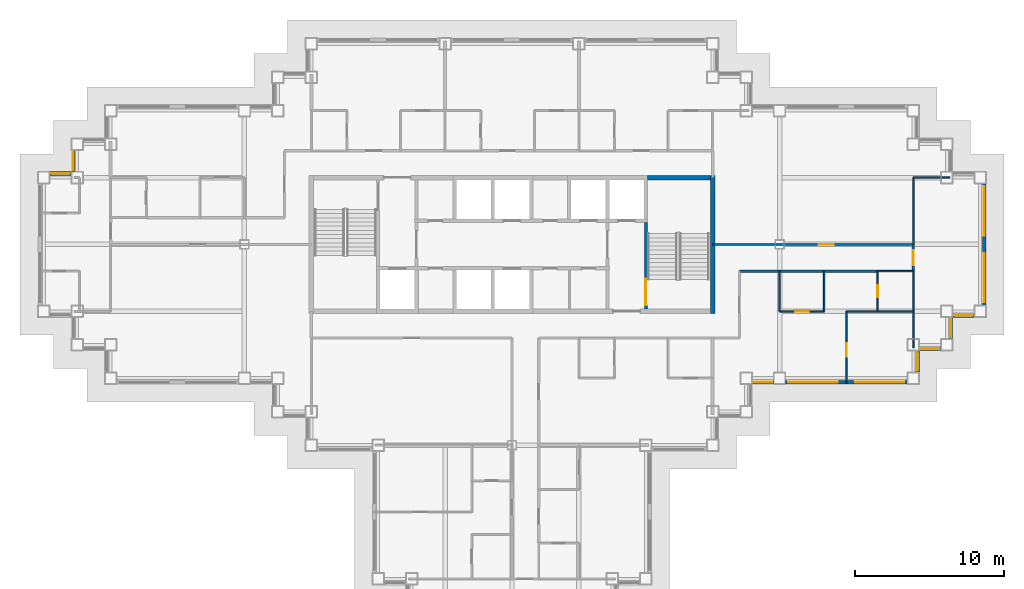
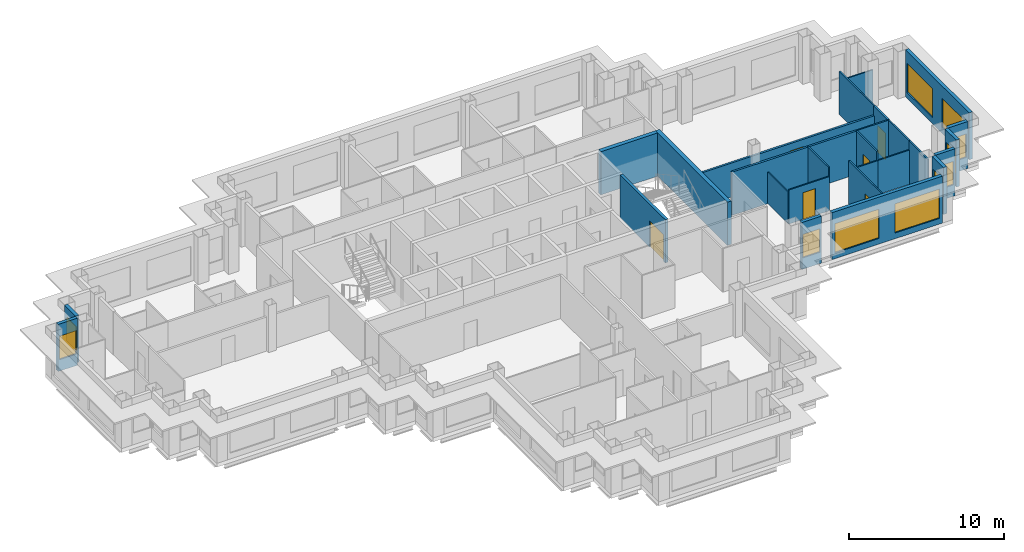
# One storey, part 7 of 13: 27 walls, 11 windows, 6 doors, 17 openings.
"""IFC4 building model written with IfcOpenShell, lengths in metres."""

from ifc_helpers import new_model, si_unit, direction, frame, frame_2d, origin, place, context, subcontext, project, spatial, rectangle, extrude, material, layer, layer_set, type_object, element, fill, save


model = new_model("IFC4")

# Units and contexts
model_context = context("Model", 3, precision=1e-05, world=origin(), true_north=direction((0.0, 1.0)))
body_context = subcontext(model_context, "Body", "Model", "MODEL_VIEW")
ifc_project = project(units=[si_unit("LENGTHUNIT", "METRE"), si_unit("AREAUNIT", "SQUARE_METRE"), si_unit("VOLUMEUNIT", "CUBIC_METRE"), si_unit("PLANEANGLEUNIT", "RADIAN"), si_unit("MASSUNIT", "GRAM", prefix="KILO")], contexts=[model_context])

# Site, building, storey
site_placement = place(None, origin())
site = spatial("IfcSite", under=ifc_project, at=site_placement, CompositionType="ELEMENT")
building_placement = place(site_placement, origin())
building = spatial("IfcBuilding", under=site, at=building_placement, Name="Caravel Reach Hotel and Residences", CompositionType="ELEMENT")
storey_placement = place(building_placement, frame((0.0, 0.0, 158.0)))
storey = spatial("IfcBuildingStorey", under=building, at=storey_placement, Name="L39", CompositionType="ELEMENT", Elevation=158.0)

# Walls
ifc_material_1 = material(Name="Gypsum board on steel stud", Category="steel")
ifc_layer_1 = layer(ifc_material_1, 0.10009765625)
ifc_layer_set_1 = layer_set([ifc_layer_1], Name="Bathroom pod wall 100 mm")
wall_type_1 = type_object("IfcWallType", Name="Bathroom pod wall 100 mm", PredefinedType="PARTITIONING", material=ifc_layer_set_1)
wall_1_placement = place(storey_placement, frame((56.10009765625, 22.5, 0.0), z_axis=(0.0, 0.0, 1.0), x_axis=(1.0, 0.0, 0.0)))
element("IfcWall", 1, at=wall_1_placement, inside=storey, type_object=wall_type_1, Name="L39 wall w084", PredefinedType="PARTITIONING", context=body_context, shape_type="SweptSolid", body=[
    extrude(rectangle(XDim=2.39990234375, YDim=0.10009765625, at=frame_2d((1.199951171875, 0.0))), origin(), (0.0, 0.0, 1.0), 2.679931640625),
])
wall_2_placement = place(storey_placement, frame((56.10009765625, 25.199951171875, 0.0), z_axis=(0.0, 0.0, 1.0), x_axis=(1.0, 0.0, 0.0)))
element("IfcWall", 2, at=wall_2_placement, inside=storey, type_object=wall_type_1, Name="L39 wall w085", PredefinedType="PARTITIONING", context=body_context, shape_type="SweptSolid", body=[
    extrude(rectangle(XDim=2.39990234375, YDim=0.10009765625, at=frame_2d((1.199951171875, 0.0))), origin(), (0.0, 0.0, 1.0), 3.39990234375),
])

# Wall, opening, door
wall_3_placement = place(storey_placement, frame((56.10009765625, 22.5, 0.0), z_axis=(0.0, 0.0, 1.0), x_axis=(0.0, 1.0, 0.0)))
wall_3 = element("IfcWall", 3, at=wall_3_placement, inside=storey, type_object=wall_type_1, Name="L39 wall w111", PredefinedType="PARTITIONING", context=body_context, shape_type="SweptSolid", body=[
    extrude(rectangle(XDim=2.699951171875, YDim=0.10009765625, at=frame_2d((1.35009765625, 0.0))), origin(), (0.0, 0.0, 1.0), 3.39990234375),
])
opening_1_placement = place(wall_3_placement, frame((0.949951171875, 0.0, 0.0)))
opening_1 = element("IfcOpeningElement", 4, at=opening_1_placement, cuts=wall_3, Name="Opening D39-033", PredefinedType="OPENING", context=body_context, shape_type="SweptSolid", body=[
    extrude(rectangle(XDim=0.800048828125, YDim=2.10009765625, at=frame_2d((0.39990234375, 1.050048828125))), frame((0.0, 0.06005859375, 0.0), z_axis=(0.0, -1.0, 0.0), x_axis=(1.0, 0.0, 0.0)), (0.0, 0.0, 1.0), 0.1201171875),
])
ifc_material_2 = material(Name="Timber and steel door leaf", Category="steel")
door_type_1 = type_object("IfcDoorType", Name="Bathroom door 800 x 2100", OperationType="SINGLE_SWING_LEFT", PredefinedType="DOOR", material=ifc_material_2)
door_1_placement = place(opening_1_placement, origin())
door_1 = element("IfcDoor", 5, at=door_1_placement, inside=storey, type_object=door_type_1, Name="door D39-033", OperationType="SINGLE_SWING_LEFT", OverallHeight=2.10009765625, OverallWidth=0.800048828125, PredefinedType="DOOR", context=body_context, shape_type="SweptSolid", body=[
    extrude(rectangle(XDim=0.800048828125, YDim=2.10009765625, at=frame_2d((0.39990234375, 1.050048828125))), frame((0.0, 0.02490234375, 0.0), z_axis=(0.0, -1.0, 0.0), x_axis=(1.0, 0.0, 0.0)), (0.0, 0.0, 1.0), 0.050048828125),
])
fill(opening_1, door_1)

# Walls
wall_4_placement = place(storey_placement, frame((58.5, 22.5, 0.0), z_axis=(0.0, 0.0, 1.0), x_axis=(0.0, 1.0, 0.0)))
element("IfcWall", 6, at=wall_4_placement, inside=storey, type_object=wall_type_1, Name="L39 wall w112", PredefinedType="PARTITIONING", context=body_context, shape_type="SweptSolid", body=[
    extrude(rectangle(XDim=2.699951171875, YDim=0.10009765625, at=frame_2d((1.35009765625, 0.0))), origin(), (0.0, 0.0, 1.0), 3.39990234375),
])
ifc_material_3 = material(Name="Concrete C60", Category="concrete")
ifc_layer_2 = layer(ifc_material_3, 0.300048828125)
ifc_layer_set_2 = layer_set([ifc_layer_2], Name="Core wall 300 mm EI 120")
wall_type_2 = type_object("IfcWallType", Name="Core wall 300 mm EI 120", PredefinedType="SHEAR", material=ifc_layer_set_2)
wall_5_placement = place(storey_placement, frame((40.625, 31.5, 0.0), z_axis=(0.0, 0.0, 1.0), x_axis=(1.0, 0.0, 0.0)))
element("IfcWall", 7, at=wall_5_placement, inside=storey, type_object=wall_type_2, Name="L39 core wall N3", PredefinedType="SHEAR", context=body_context, shape_type="SweptSolid", body=[
    extrude(rectangle(XDim=4.22509765625, YDim=0.300048828125, at=frame_2d((2.112548828125, 0.0))), origin(), (0.0, 0.0, 1.0), 3.39990234375),
])
wall_6_placement = place(storey_placement, frame((45.0, 22.35009765625, 0.0), z_axis=(0.0, 0.0, 1.0), x_axis=(0.0, 1.0, 0.0)))
element("IfcWall", 8, at=wall_6_placement, inside=storey, type_object=wall_type_2, Name="L39 core wall E", PredefinedType="SHEAR", context=body_context, shape_type="SweptSolid", body=[
    extrude(rectangle(XDim=9.2998046875, YDim=0.300048828125, at=frame_2d((4.64990234375, 0.0))), origin(), (0.0, 0.0, 1.0), 3.39990234375),
])
ifc_material_4 = material(Name="Gypsum board on steel stud, fire-rated", Category="steel")
ifc_layer_3 = layer(ifc_material_4, 0.14990234375)
ifc_layer_set_3 = layer_set([ifc_layer_3], Name="Corridor wall 150 mm EI 60")
wall_type_3 = type_object("IfcWallType", Name="Corridor wall 150 mm EI 60", PredefinedType="PARTITIONING", material=ifc_layer_set_3)
wall_7_placement = place(storey_placement, frame((46.801025390625, 25.199951171875, 0.0), z_axis=(0.0, 0.0, 1.0), x_axis=(1.0, 0.0, 0.0)))
element("IfcWall", 9, at=wall_7_placement, inside=storey, type_object=wall_type_3, Name="L39 wall w006", PredefinedType="PARTITIONING", context=body_context, shape_type="SweptSolid", body=[
    extrude(rectangle(XDim=9.299072265625, YDim=0.14990234375, at=frame_2d((4.6494140625, 0.0))), origin(), (0.0, 0.0, 1.0), 3.39990234375),
])

# Wall, opening, door
wall_8_placement = place(storey_placement, frame((45.0, 27.0, 0.0), z_axis=(0.0, 0.0, 1.0), x_axis=(1.0, 0.0, 0.0)))
wall_8 = element("IfcWall", 10, at=wall_8_placement, inside=storey, type_object=wall_type_3, Name="L39 wall w010", PredefinedType="PARTITIONING", context=body_context, shape_type="SweptSolid", body=[
    extrude(rectangle(XDim=13.5, YDim=0.14990234375, at=frame_2d((6.75, 0.0))), origin(), (0.0, 0.0, 1.0), 2.679931640625),
])
opening_2_placement = place(wall_8_placement, frame((7.14990234375, 0.0, 0.0)))
opening_2 = element("IfcOpeningElement", 11, at=opening_2_placement, cuts=wall_8, Name="Opening D39-030", PredefinedType="OPENING", context=body_context, shape_type="SweptSolid", body=[
    extrude(rectangle(XDim=1.0, YDim=2.10009765625, at=frame_2d((0.5, 1.050048828125))), frame((0.0, 0.0849609375, 0.0), z_axis=(0.0, -1.0, 0.0), x_axis=(1.0, 0.0, 0.0)), (0.0, 0.0, 1.0), 0.169921875),
])
ifc_material_5 = material(Name="Steel fire door leaf", Category="steel")
door_type_2 = type_object("IfcDoorType", Name="Fire door 1000 x 2100 EI 60", OperationType="SINGLE_SWING_LEFT", PredefinedType="DOOR", material=ifc_material_5)
door_2_placement = place(opening_2_placement, origin())
door_2 = element("IfcDoor", 12, at=door_2_placement, inside=storey, type_object=door_type_2, Name="door D39-030", OperationType="SINGLE_SWING_RIGHT", OverallHeight=2.10009765625, OverallWidth=1.0, PredefinedType="DOOR", context=body_context, shape_type="SweptSolid", body=[
    extrude(rectangle(XDim=1.0, YDim=2.10009765625, at=frame_2d((0.5, 1.050048828125))), frame((0.0, 0.02490234375, 0.0), z_axis=(0.0, -1.0, 0.0), x_axis=(1.0, 0.0, 0.0)), (0.0, 0.0, 1.0), 0.050048828125),
])
fill(opening_2, door_2)

wall_9_placement = place(storey_placement, frame((58.5, 25.199951171875, 0.0), z_axis=(0.0, 0.0, 1.0), x_axis=(0.0, 1.0, 0.0)))
wall_9 = element("IfcWall", 13, at=wall_9_placement, inside=storey, type_object=wall_type_3, Name="L39 wall w033", PredefinedType="PARTITIONING", context=body_context, shape_type="SweptSolid", body=[
    extrude(rectangle(XDim=1.800048828125, YDim=0.14990234375, at=frame_2d((0.89990234375, 0.0))), origin(), (0.0, 0.0, 1.0), 3.39990234375),
])
opening_3_placement = place(wall_9_placement, frame((0.39990234375, 0.0, 0.0)))
opening_3 = element("IfcOpeningElement", 14, at=opening_3_placement, cuts=wall_9, Name="Opening D39-049", PredefinedType="OPENING", context=body_context, shape_type="SweptSolid", body=[
    extrude(rectangle(XDim=1.0, YDim=2.10009765625, at=frame_2d((0.5, 1.050048828125))), frame((0.0, 0.0849609375, 0.0), z_axis=(0.0, -1.0, 0.0), x_axis=(1.0, 0.0, 0.0)), (0.0, 0.0, 1.0), 0.169921875),
])
door_3_placement = place(opening_3_placement, origin())
door_3 = element("IfcDoor", 15, at=door_3_placement, inside=storey, type_object=door_type_2, Name="door D39-049", OperationType="SINGLE_SWING_LEFT", OverallHeight=2.10009765625, OverallWidth=1.0, PredefinedType="DOOR", context=body_context, shape_type="SweptSolid", body=[
    extrude(rectangle(XDim=1.0, YDim=2.10009765625, at=frame_2d((0.5, 1.050048828125))), frame((0.0, 0.02490234375, 0.0), z_axis=(0.0, -1.0, 0.0), x_axis=(1.0, 0.0, 0.0)), (0.0, 0.0, 1.0), 0.050048828125),
])
fill(opening_3, door_3)

# Wall, opening, window
ifc_material_6 = material(Name="Insulated rainscreen wall, aluminium cladding", Category="aluminium")
ifc_layer_4 = layer(ifc_material_6, 0.25)
ifc_layer_set_4 = layer_set([ifc_layer_4], Name="EW1 Tower rainscreen wall")
wall_type_4 = type_object("IfcWallType", Name="EW1 Tower rainscreen wall", PredefinedType="SOLIDWALL", material=ifc_layer_set_4)
wall_10_placement = place(storey_placement, frame((47.64990234375, 17.72509765625, 0.0), z_axis=(0.0, 0.0, 1.0), x_axis=(1.0, 0.0, 0.0)))
wall_10 = element("IfcWall", 16, at=wall_10_placement, inside=storey, type_object=wall_type_4, Name="External wall L39 S15.1", PredefinedType="SOLIDWALL", context=body_context, shape_type="SweptSolid", body=[
    extrude(rectangle(XDim=1.4501953125, YDim=0.25, at=frame_2d((0.72509765625, 0.0))), origin(), (0.0, 0.0, 1.0), 3.699951171875),
])
opening_4_placement = place(wall_10_placement, frame((0.10009765625, 0.0, 0.89990234375)))
opening_4 = element("IfcOpeningElement", 17, at=opening_4_placement, cuts=wall_10, Name="Opening WN13", PredefinedType="OPENING", context=body_context, shape_type="SweptSolid", body=[
    extrude(rectangle(XDim=1.25, YDim=1.85009765625, at=frame_2d((0.625, 0.925048828125))), frame((0.0, 0.135009765625, 0.0), z_axis=(0.0, -1.0, 0.0), x_axis=(1.0, 0.0, 0.0)), (0.0, 0.0, 1.0), 0.27001953125),
])
ifc_material_7 = material(Name="Dark low-e glazing in black aluminium frame", Category="aluminium")
window_type_1 = type_object("IfcWindowType", Name="Residence bedroom window 1250 x 1850", PartitioningType="SINGLE_PANEL", PredefinedType="WINDOW", material=ifc_material_7)
window_1_placement = place(opening_4_placement, origin())
window_1 = element("IfcWindow", 18, at=window_1_placement, inside=storey, type_object=window_type_1, Name="Window L39 S15.1.1", OverallHeight=1.85009765625, OverallWidth=1.25, PartitioningType="SINGLE_PANEL", PredefinedType="WINDOW", context=body_context, shape_type="SweptSolid", body=[
    extrude(rectangle(XDim=1.25, YDim=1.85009765625, at=frame_2d((0.625, 0.925048828125))), frame((0.0, 0.030029296875, 0.0), z_axis=(0.0, -1.0, 0.0), x_axis=(1.0, 0.0, 0.0)), (0.0, 0.0, 1.0), 0.06005859375),
])
fill(opening_4, window_1)

# Wall, openings, windows
wall_11_placement = place(storey_placement, frame((49.89990234375, 17.72509765625, 0.0), z_axis=(0.0, 0.0, 1.0), x_axis=(1.0, 0.0, 0.0)))
wall_11 = element("IfcWall", 19, at=wall_11_placement, inside=storey, type_object=wall_type_4, Name="External wall L39 S15.2", PredefinedType="SOLIDWALL", context=body_context, shape_type="SweptSolid", body=[
    extrude(rectangle(XDim=8.2001953125, YDim=0.25, at=frame_2d((4.10009765625, 0.0))), origin(), (0.0, 0.0, 1.0), 3.699951171875),
])
opening_5_placement = place(wall_11_placement, frame((0.199951171875, 0.0, 0.449951171875)))
opening_5 = element("IfcOpeningElement", 20, at=opening_5_placement, cuts=wall_11, Name="Opening WN15", PredefinedType="OPENING", context=body_context, shape_type="SweptSolid", body=[
    extrude(rectangle(XDim=3.300048828125, YDim=2.300048828125, at=frame_2d((1.64990234375, 1.14990234375))), frame((0.0, 0.135009765625, 0.0), z_axis=(0.0, -1.0, 0.0), x_axis=(1.0, 0.0, 0.0)), (0.0, 0.0, 1.0), 0.27001953125),
])
opening_6_placement = place(wall_11_placement, frame((4.699951171875, 0.0, 0.449951171875)))
opening_6 = element("IfcOpeningElement", 21, at=opening_6_placement, cuts=wall_11, Name="Opening WN15", PredefinedType="OPENING", context=body_context, shape_type="SweptSolid", body=[
    extrude(rectangle(XDim=3.300048828125, YDim=2.300048828125, at=frame_2d((1.64990234375, 1.14990234375))), frame((0.0, 0.135009765625, 0.0), z_axis=(0.0, -1.0, 0.0), x_axis=(1.0, 0.0, 0.0)), (0.0, 0.0, 1.0), 0.27001953125),
])
ifc_material_8 = material(Name="Dark low-e glazing in black aluminium frame", Category="aluminium")
window_type_2 = type_object("IfcWindowType", Name="Residence living window 3300 x 2300", PartitioningType="SINGLE_PANEL", PredefinedType="WINDOW", material=ifc_material_8)
window_2_placement = place(opening_5_placement, origin())
window_2 = element("IfcWindow", 22, at=window_2_placement, inside=storey, type_object=window_type_2, Name="Window L39 S15.2.1", OverallHeight=2.300048828125, OverallWidth=3.300048828125, PartitioningType="SINGLE_PANEL", PredefinedType="WINDOW", context=body_context, shape_type="SweptSolid", body=[
    extrude(rectangle(XDim=3.300048828125, YDim=2.300048828125, at=frame_2d((1.64990234375, 1.14990234375))), frame((0.0, 0.030029296875, 0.0), z_axis=(0.0, -1.0, 0.0), x_axis=(1.0, 0.0, 0.0)), (0.0, 0.0, 1.0), 0.06005859375),
])
fill(opening_5, window_2)
window_3_placement = place(opening_6_placement, origin())
window_3 = element("IfcWindow", 23, at=window_3_placement, inside=storey, type_object=window_type_2, Name="Window L39 S15.2.2", OverallHeight=2.300048828125, OverallWidth=3.300048828125, PartitioningType="SINGLE_PANEL", PredefinedType="WINDOW", context=body_context, shape_type="SweptSolid", body=[
    extrude(rectangle(XDim=3.300048828125, YDim=2.300048828125, at=frame_2d((1.64990234375, 1.14990234375))), frame((0.0, 0.030029296875, 0.0), z_axis=(0.0, -1.0, 0.0), x_axis=(1.0, 0.0, 0.0)), (0.0, 0.0, 1.0), 0.06005859375),
])
fill(opening_6, window_3)

# Wall, opening, window
wall_12_placement = place(storey_placement, frame((58.77490234375, 18.39990234375, 0.0), z_axis=(0.0, 0.0, 1.0), x_axis=(0.0, 1.0, 0.0)))
wall_12 = element("IfcWall", 24, at=wall_12_placement, inside=storey, type_object=wall_type_4, Name="External wall L39 E16.1", PredefinedType="SOLIDWALL", context=body_context, shape_type="SweptSolid", body=[
    extrude(rectangle(XDim=1.4501953125, YDim=0.25, at=frame_2d((0.72509765625, 0.0))), origin(), (0.0, 0.0, 1.0), 3.699951171875),
])
opening_7_placement = place(wall_12_placement, frame((0.10009765625, 0.0, 0.89990234375)))
opening_7 = element("IfcOpeningElement", 25, at=opening_7_placement, cuts=wall_12, Name="Opening WN13", PredefinedType="OPENING", context=body_context, shape_type="SweptSolid", body=[
    extrude(rectangle(XDim=1.25, YDim=1.85009765625, at=frame_2d((0.625, 0.925048828125))), frame((0.0, 0.135009765625, 0.0), z_axis=(0.0, -1.0, 0.0), x_axis=(1.0, 0.0, 0.0)), (0.0, 0.0, 1.0), 0.27001953125),
])
window_4_placement = place(opening_7_placement, origin())
window_4 = element("IfcWindow", 26, at=window_4_placement, inside=storey, type_object=window_type_1, Name="Window L39 E16.1.1", OverallHeight=1.85009765625, OverallWidth=1.25, PartitioningType="SINGLE_PANEL", PredefinedType="WINDOW", context=body_context, shape_type="SweptSolid", body=[
    extrude(rectangle(XDim=1.25, YDim=1.85009765625, at=frame_2d((0.625, 0.925048828125))), frame((0.0, 0.030029296875, 0.0), z_axis=(0.0, -1.0, 0.0), x_axis=(1.0, 0.0, 0.0)), (0.0, 0.0, 1.0), 0.06005859375),
])
fill(opening_7, window_4)

wall_13_placement = place(storey_placement, frame((58.89990234375, 19.97509765625, 0.0), z_axis=(0.0, 0.0, 1.0), x_axis=(1.0, 0.0, 0.0)))
wall_13 = element("IfcWall", 27, at=wall_13_placement, inside=storey, type_object=wall_type_4, Name="External wall L39 S17.1", PredefinedType="SOLIDWALL", context=body_context, shape_type="SweptSolid", body=[
    extrude(rectangle(XDim=1.4501953125, YDim=0.25, at=frame_2d((0.72509765625, 0.0))), origin(), (0.0, 0.0, 1.0), 3.699951171875),
])
opening_8_placement = place(wall_13_placement, frame((0.10009765625, 0.0, 0.89990234375)))
opening_8 = element("IfcOpeningElement", 28, at=opening_8_placement, cuts=wall_13, Name="Opening WN13", PredefinedType="OPENING", context=body_context, shape_type="SweptSolid", body=[
    extrude(rectangle(XDim=1.25, YDim=1.85009765625, at=frame_2d((0.625, 0.925048828125))), frame((0.0, 0.135009765625, 0.0), z_axis=(0.0, -1.0, 0.0), x_axis=(1.0, 0.0, 0.0)), (0.0, 0.0, 1.0), 0.27001953125),
])
window_5_placement = place(opening_8_placement, origin())
window_5 = element("IfcWindow", 29, at=window_5_placement, inside=storey, type_object=window_type_1, Name="Window L39 S17.1.1", OverallHeight=1.85009765625, OverallWidth=1.25, PartitioningType="SINGLE_PANEL", PredefinedType="WINDOW", context=body_context, shape_type="SweptSolid", body=[
    extrude(rectangle(XDim=1.25, YDim=1.85009765625, at=frame_2d((0.625, 0.925048828125))), frame((0.0, 0.030029296875, 0.0), z_axis=(0.0, -1.0, 0.0), x_axis=(1.0, 0.0, 0.0)), (0.0, 0.0, 1.0), 0.06005859375),
])
fill(opening_8, window_5)

wall_14_placement = place(storey_placement, frame((61.02490234375, 20.64990234375, 0.0), z_axis=(0.0, 0.0, 1.0), x_axis=(0.0, 1.0, 0.0)))
wall_14 = element("IfcWall", 30, at=wall_14_placement, inside=storey, type_object=wall_type_4, Name="External wall L39 E18.1", PredefinedType="SOLIDWALL", context=body_context, shape_type="SweptSolid", body=[
    extrude(rectangle(XDim=1.4501953125, YDim=0.25, at=frame_2d((0.72509765625, 0.0))), origin(), (0.0, 0.0, 1.0), 3.699951171875),
])
opening_9_placement = place(wall_14_placement, frame((0.10009765625, 0.0, 0.89990234375)))
opening_9 = element("IfcOpeningElement", 31, at=opening_9_placement, cuts=wall_14, Name="Opening WN13", PredefinedType="OPENING", context=body_context, shape_type="SweptSolid", body=[
    extrude(rectangle(XDim=1.25, YDim=1.85009765625, at=frame_2d((0.625, 0.925048828125))), frame((0.0, 0.135009765625, 0.0), z_axis=(0.0, -1.0, 0.0), x_axis=(1.0, 0.0, 0.0)), (0.0, 0.0, 1.0), 0.27001953125),
])
window_6_placement = place(opening_9_placement, origin())
window_6 = element("IfcWindow", 32, at=window_6_placement, inside=storey, type_object=window_type_1, Name="Window L39 E18.1.1", OverallHeight=1.85009765625, OverallWidth=1.25, PartitioningType="SINGLE_PANEL", PredefinedType="WINDOW", context=body_context, shape_type="SweptSolid", body=[
    extrude(rectangle(XDim=1.25, YDim=1.85009765625, at=frame_2d((0.625, 0.925048828125))), frame((0.0, 0.030029296875, 0.0), z_axis=(0.0, -1.0, 0.0), x_axis=(1.0, 0.0, 0.0)), (0.0, 0.0, 1.0), 0.06005859375),
])
fill(opening_9, window_6)

wall_15_placement = place(storey_placement, frame((61.14990234375, 22.22509765625, 0.0), z_axis=(0.0, 0.0, 1.0), x_axis=(1.0, 0.0, 0.0)))
wall_15 = element("IfcWall", 33, at=wall_15_placement, inside=storey, type_object=wall_type_4, Name="External wall L39 S19.1", PredefinedType="SOLIDWALL", context=body_context, shape_type="SweptSolid", body=[
    extrude(rectangle(XDim=1.4501953125, YDim=0.25, at=frame_2d((0.72509765625, 0.0))), origin(), (0.0, 0.0, 1.0), 3.699951171875),
])
opening_10_placement = place(wall_15_placement, frame((0.10009765625, 0.0, 0.89990234375)))
opening_10 = element("IfcOpeningElement", 34, at=opening_10_placement, cuts=wall_15, Name="Opening WN13", PredefinedType="OPENING", context=body_context, shape_type="SweptSolid", body=[
    extrude(rectangle(XDim=1.25, YDim=1.85009765625, at=frame_2d((0.625, 0.925048828125))), frame((0.0, 0.135009765625, 0.0), z_axis=(0.0, -1.0, 0.0), x_axis=(1.0, 0.0, 0.0)), (0.0, 0.0, 1.0), 0.27001953125),
])
window_7_placement = place(opening_10_placement, origin())
window_7 = element("IfcWindow", 35, at=window_7_placement, inside=storey, type_object=window_type_1, Name="Window L39 S19.1.1", OverallHeight=1.85009765625, OverallWidth=1.25, PartitioningType="SINGLE_PANEL", PredefinedType="WINDOW", context=body_context, shape_type="SweptSolid", body=[
    extrude(rectangle(XDim=1.25, YDim=1.85009765625, at=frame_2d((0.625, 0.925048828125))), frame((0.0, 0.030029296875, 0.0), z_axis=(0.0, -1.0, 0.0), x_axis=(1.0, 0.0, 0.0)), (0.0, 0.0, 1.0), 0.06005859375),
])
fill(opening_10, window_7)

# Wall, openings, windows
wall_16_placement = place(storey_placement, frame((63.27490234375, 22.89990234375, 0.0), z_axis=(0.0, 0.0, 1.0), x_axis=(0.0, 1.0, 0.0)))
wall_16 = element("IfcWall", 36, at=wall_16_placement, inside=storey, type_object=wall_type_4, Name="External wall L39 E20.1", PredefinedType="SOLIDWALL", context=body_context, shape_type="SweptSolid", body=[
    extrude(rectangle(XDim=8.2001953125, YDim=0.25, at=frame_2d((4.10009765625, 0.0))), origin(), (0.0, 0.0, 1.0), 3.699951171875),
])
opening_11_placement = place(wall_16_placement, frame((0.199951171875, 0.0, 0.449951171875)))
opening_11 = element("IfcOpeningElement", 37, at=opening_11_placement, cuts=wall_16, Name="Opening WN15", PredefinedType="OPENING", context=body_context, shape_type="SweptSolid", body=[
    extrude(rectangle(XDim=3.300048828125, YDim=2.300048828125, at=frame_2d((1.64990234375, 1.14990234375))), frame((0.0, 0.135009765625, 0.0), z_axis=(0.0, -1.0, 0.0), x_axis=(1.0, 0.0, 0.0)), (0.0, 0.0, 1.0), 0.27001953125),
])
opening_12_placement = place(wall_16_placement, frame((4.699951171875, 0.0, 0.449951171875)))
opening_12 = element("IfcOpeningElement", 38, at=opening_12_placement, cuts=wall_16, Name="Opening WN15", PredefinedType="OPENING", context=body_context, shape_type="SweptSolid", body=[
    extrude(rectangle(XDim=3.300048828125, YDim=2.300048828125, at=frame_2d((1.64990234375, 1.14990234375))), frame((0.0, 0.135009765625, 0.0), z_axis=(0.0, -1.0, 0.0), x_axis=(1.0, 0.0, 0.0)), (0.0, 0.0, 1.0), 0.27001953125),
])
window_8_placement = place(opening_11_placement, origin())
window_8 = element("IfcWindow", 39, at=window_8_placement, inside=storey, type_object=window_type_2, Name="Window L39 E20.1.1", OverallHeight=2.300048828125, OverallWidth=3.300048828125, PartitioningType="SINGLE_PANEL", PredefinedType="WINDOW", context=body_context, shape_type="SweptSolid", body=[
    extrude(rectangle(XDim=3.300048828125, YDim=2.300048828125, at=frame_2d((1.64990234375, 1.14990234375))), frame((0.0, 0.030029296875, 0.0), z_axis=(0.0, -1.0, 0.0), x_axis=(1.0, 0.0, 0.0)), (0.0, 0.0, 1.0), 0.06005859375),
])
fill(opening_11, window_8)
window_9_placement = place(opening_12_placement, origin())
window_9 = element("IfcWindow", 40, at=window_9_placement, inside=storey, type_object=window_type_2, Name="Window L39 E20.1.2", OverallHeight=2.300048828125, OverallWidth=3.300048828125, PartitioningType="SINGLE_PANEL", PredefinedType="WINDOW", context=body_context, shape_type="SweptSolid", body=[
    extrude(rectangle(XDim=3.300048828125, YDim=2.300048828125, at=frame_2d((1.64990234375, 1.14990234375))), frame((0.0, 0.030029296875, 0.0), z_axis=(0.0, -1.0, 0.0), x_axis=(1.0, 0.0, 0.0)), (0.0, 0.0, 1.0), 0.06005859375),
])
fill(opening_12, window_9)

# Wall, opening, window
wall_17_placement = place(storey_placement, frame((1.97509765625, 33.35009765625, 0.0), z_axis=(0.0, 0.0, 1.0), x_axis=(0.0, -1.0, 0.0)))
wall_17 = element("IfcWall", 41, at=wall_17_placement, inside=storey, type_object=wall_type_4, Name="External wall L39 W36.1", PredefinedType="SOLIDWALL", context=body_context, shape_type="SweptSolid", body=[
    extrude(rectangle(XDim=1.4501953125, YDim=0.25, at=frame_2d((0.72509765625, 0.0))), origin(), (0.0, 0.0, 1.0), 3.699951171875),
])
opening_13_placement = place(wall_17_placement, frame((0.10009765625, 0.0, 0.89990234375)))
opening_13 = element("IfcOpeningElement", 42, at=opening_13_placement, cuts=wall_17, Name="Opening WN13", PredefinedType="OPENING", context=body_context, shape_type="SweptSolid", body=[
    extrude(rectangle(XDim=1.25, YDim=1.85009765625, at=frame_2d((0.625, 0.925048828125))), frame((0.0, 0.135009765625, 0.0), z_axis=(0.0, -1.0, 0.0), x_axis=(1.0, 0.0, 0.0)), (0.0, 0.0, 1.0), 0.27001953125),
])
window_10_placement = place(opening_13_placement, origin())
window_10 = element("IfcWindow", 43, at=window_10_placement, inside=storey, type_object=window_type_1, Name="Window L39 W36.1.1", OverallHeight=1.85009765625, OverallWidth=1.25, PartitioningType="SINGLE_PANEL", PredefinedType="WINDOW", context=body_context, shape_type="SweptSolid", body=[
    extrude(rectangle(XDim=1.25, YDim=1.85009765625, at=frame_2d((0.625, 0.925048828125))), frame((0.0, 0.030029296875, 0.0), z_axis=(0.0, -1.0, 0.0), x_axis=(1.0, 0.0, 0.0)), (0.0, 0.0, 1.0), 0.06005859375),
])
fill(opening_13, window_10)

wall_18_placement = place(storey_placement, frame((1.85009765625, 31.77490234375, 0.0), z_axis=(0.0, 0.0, 1.0), x_axis=(-1.0, 0.0, 0.0)))
wall_18 = element("IfcWall", 44, at=wall_18_placement, inside=storey, type_object=wall_type_4, Name="External wall L39 N37.1", PredefinedType="SOLIDWALL", context=body_context, shape_type="SweptSolid", body=[
    extrude(rectangle(XDim=1.4501953125, YDim=0.25, at=frame_2d((0.72509765625, 0.0))), origin(), (0.0, 0.0, 1.0), 3.699951171875),
])
opening_14_placement = place(wall_18_placement, frame((0.10009765625, 0.0, 0.89990234375)))
opening_14 = element("IfcOpeningElement", 45, at=opening_14_placement, cuts=wall_18, Name="Opening WN13", PredefinedType="OPENING", context=body_context, shape_type="SweptSolid", body=[
    extrude(rectangle(XDim=1.25, YDim=1.85009765625, at=frame_2d((0.625, 0.925048828125))), frame((0.0, 0.135009765625, 0.0), z_axis=(0.0, -1.0, 0.0), x_axis=(1.0, 0.0, 0.0)), (0.0, 0.0, 1.0), 0.27001953125),
])
window_11_placement = place(opening_14_placement, origin())
window_11 = element("IfcWindow", 46, at=window_11_placement, inside=storey, type_object=window_type_1, Name="Window L39 N37.1.1", OverallHeight=1.85009765625, OverallWidth=1.25, PartitioningType="SINGLE_PANEL", PredefinedType="WINDOW", context=body_context, shape_type="SweptSolid", body=[
    extrude(rectangle(XDim=1.25, YDim=1.85009765625, at=frame_2d((0.625, 0.925048828125))), frame((0.0, 0.030029296875, 0.0), z_axis=(0.0, -1.0, 0.0), x_axis=(1.0, 0.0, 0.0)), (0.0, 0.0, 1.0), 0.06005859375),
])
fill(opening_14, window_11)

# Wall
ifc_material_9 = material(Name="Gypsum board on steel stud", Category="steel")
ifc_layer_5 = layer(ifc_material_9, 0.10009765625)
ifc_layer_set_5 = layer_set([ifc_layer_5], Name="Partition 100 mm")
wall_type_5 = type_object("IfcWallType", Name="Partition 100 mm", PredefinedType="PARTITIONING", material=ifc_layer_set_5)
wall_19_placement = place(storey_placement, frame((54.0, 22.5, 0.0), z_axis=(0.0, 0.0, 1.0), x_axis=(1.0, 0.0, 0.0)))
element("IfcWall", 47, at=wall_19_placement, inside=storey, type_object=wall_type_5, Name="L39 wall w037", PredefinedType="PARTITIONING", context=body_context, shape_type="SweptSolid", body=[
    extrude(rectangle(XDim=2.10009765625, YDim=0.10009765625, at=frame_2d((1.050048828125, 0.0))), origin(), (0.0, 0.0, 1.0), 2.679931640625),
])

# Wall, opening, door
wall_20_placement = place(storey_placement, frame((49.5, 22.5, 0.0), z_axis=(0.0, 0.0, 1.0), x_axis=(1.0, 0.0, 0.0)))
wall_20 = element("IfcWall", 48, at=wall_20_placement, inside=storey, type_object=wall_type_5, Name="L39 wall w038", PredefinedType="PARTITIONING", context=body_context, shape_type="SweptSolid", body=[
    extrude(rectangle(XDim=3.0, YDim=0.10009765625, at=frame_2d((1.5, 0.0))), origin(), (0.0, 0.0, 1.0), 2.679931640625),
])
opening_15_placement = place(wall_20_placement, frame((1.050048828125, 0.0, 0.0)))
opening_15 = element("IfcOpeningElement", 49, at=opening_15_placement, cuts=wall_20, Name="Opening D39-032", PredefinedType="OPENING", context=body_context, shape_type="SweptSolid", body=[
    extrude(rectangle(XDim=0.89990234375, YDim=2.10009765625, at=frame_2d((0.449951171875, 1.050048828125))), frame((0.0, 0.06005859375, 0.0), z_axis=(0.0, -1.0, 0.0), x_axis=(1.0, 0.0, 0.0)), (0.0, 0.0, 1.0), 0.1201171875),
])
ifc_material_10 = material(Name="Timber and steel door leaf", Category="steel")
door_type_3 = type_object("IfcDoorType", Name="Door 900 x 2100 timber", OperationType="SINGLE_SWING_LEFT", PredefinedType="DOOR", material=ifc_material_10)
door_4_placement = place(opening_15_placement, origin())
door_4 = element("IfcDoor", 50, at=door_4_placement, inside=storey, type_object=door_type_3, Name="door D39-032", OperationType="SINGLE_SWING_RIGHT", OverallHeight=2.10009765625, OverallWidth=0.89990234375, PredefinedType="DOOR", context=body_context, shape_type="SweptSolid", body=[
    extrude(rectangle(XDim=0.89990234375, YDim=2.10009765625, at=frame_2d((0.449951171875, 1.050048828125))), frame((0.0, 0.02490234375, 0.0), z_axis=(0.0, -1.0, 0.0), x_axis=(1.0, 0.0, 0.0)), (0.0, 0.0, 1.0), 0.050048828125),
])
fill(opening_15, door_4)

# Walls
wall_21_placement = place(storey_placement, frame((58.5009765625, 31.5, 0.0), z_axis=(0.0, 0.0, 1.0), x_axis=(1.0, 0.0, 0.0)))
element("IfcWall", 51, at=wall_21_placement, inside=storey, type_object=wall_type_5, Name="L39 wall w041", PredefinedType="PARTITIONING", context=body_context, shape_type="SweptSolid", body=[
    extrude(rectangle(XDim=2.43896484375, YDim=0.10009765625, at=frame_2d((1.219482421875, 0.0))), origin(), (0.0, 0.0, 1.0), 2.679931640625),
])
wall_22_placement = place(storey_placement, frame((49.5, 22.5, 0.0), z_axis=(0.0, 0.0, 1.0), x_axis=(0.0, 1.0, 0.0)))
element("IfcWall", 52, at=wall_22_placement, inside=storey, type_object=wall_type_5, Name="L39 wall w067", PredefinedType="PARTITIONING", context=body_context, shape_type="SweptSolid", body=[
    extrude(rectangle(XDim=2.698974609375, YDim=0.10009765625, at=frame_2d((1.349609375, 0.0))), origin(), (0.0, 0.0, 1.0), 2.47998046875),
])
wall_23_placement = place(storey_placement, frame((52.5, 22.5, 0.0), z_axis=(0.0, 0.0, 1.0), x_axis=(0.0, 1.0, 0.0)))
element("IfcWall", 53, at=wall_23_placement, inside=storey, type_object=wall_type_5, Name="L39 wall w068", PredefinedType="PARTITIONING", context=body_context, shape_type="SweptSolid", body=[
    extrude(rectangle(XDim=2.699951171875, YDim=0.10009765625, at=frame_2d((1.35009765625, 0.0))), origin(), (0.0, 0.0, 1.0), 3.39990234375),
])

# Wall, opening, door
wall_24_placement = place(storey_placement, frame((54.0, 17.659912109375, 0.0), z_axis=(0.0, 0.0, 1.0), x_axis=(0.0, 1.0, 0.0)))
wall_24 = element("IfcWall", 54, at=wall_24_placement, inside=storey, type_object=wall_type_5, Name="L39 wall w069", PredefinedType="PARTITIONING", context=body_context, shape_type="SweptSolid", body=[
    extrude(rectangle(XDim=4.840087890625, YDim=0.10009765625, at=frame_2d((2.419921875, 0.0))), origin(), (0.0, 0.0, 1.0), 3.39990234375),
])
opening_16_placement = place(wall_24_placement, frame((1.800048828125, 0.0, 0.0)))
opening_16 = element("IfcOpeningElement", 55, at=opening_16_placement, cuts=wall_24, Name="Opening D39-034", PredefinedType="OPENING", context=body_context, shape_type="SweptSolid", body=[
    extrude(rectangle(XDim=0.89990234375, YDim=2.10009765625, at=frame_2d((0.449951171875, 1.050048828125))), frame((0.0, 0.06005859375, 0.0), z_axis=(0.0, -1.0, 0.0), x_axis=(1.0, 0.0, 0.0)), (0.0, 0.0, 1.0), 0.1201171875),
])
door_5_placement = place(opening_16_placement, origin())
door_5 = element("IfcDoor", 56, at=door_5_placement, inside=storey, type_object=door_type_3, Name="door D39-034", OperationType="SINGLE_SWING_RIGHT", OverallHeight=2.10009765625, OverallWidth=0.89990234375, PredefinedType="DOOR", context=body_context, shape_type="SweptSolid", body=[
    extrude(rectangle(XDim=0.89990234375, YDim=2.10009765625, at=frame_2d((0.449951171875, 1.050048828125))), frame((0.0, 0.02490234375, 0.0), z_axis=(0.0, -1.0, 0.0), x_axis=(1.0, 0.0, 0.0)), (0.0, 0.0, 1.0), 0.050048828125),
])
fill(opening_16, door_5)

# Walls
wall_25_placement = place(storey_placement, frame((58.5, 27.0, 0.0), z_axis=(0.0, 0.0, 1.0), x_axis=(0.0, 1.0, 0.0)))
element("IfcWall", 57, at=wall_25_placement, inside=storey, type_object=wall_type_5, Name="L39 wall w070", PredefinedType="PARTITIONING", context=body_context, shape_type="SweptSolid", body=[
    extrude(rectangle(XDim=4.5, YDim=0.10009765625, at=frame_2d((2.25, 0.0))), origin(), (0.0, 0.0, 1.0), 3.39990234375),
])
wall_26_placement = place(storey_placement, frame((58.5, 20.06005859375, 0.0), z_axis=(0.0, 0.0, 1.0), x_axis=(0.0, 1.0, 0.0)))
element("IfcWall", 58, at=wall_26_placement, inside=storey, type_object=wall_type_5, Name="L39 wall w071", PredefinedType="PARTITIONING", context=body_context, shape_type="SweptSolid", body=[
    extrude(rectangle(XDim=2.43896484375, YDim=0.10009765625, at=frame_2d((1.219482421875, 0.0))), origin(), (0.0, 0.0, 1.0), 3.39990234375),
])

# Wall, opening, door
ifc_material_11 = material(Name="Concrete C60", Category="concrete")
ifc_layer_6 = layer(ifc_material_11, 0.199951171875)
ifc_layer_set_6 = layer_set([ifc_layer_6], Name="Stair enclosure wall 200 mm EI 120")
wall_type_6 = type_object("IfcWallType", Name="Stair enclosure wall 200 mm EI 120", PredefinedType="SHEAR", material=ifc_layer_set_6)
wall_27_placement = place(storey_placement, frame((40.5, 22.64990234375, 0.0), z_axis=(0.0, 0.0, 1.0), x_axis=(0.0, 1.0, 0.0)))
wall_27 = element("IfcWall", 59, at=wall_27_placement, inside=storey, type_object=wall_type_6, Name="L39 stair B wall", PredefinedType="SHEAR", context=body_context, shape_type="SweptSolid", body=[
    extrude(rectangle(XDim=5.8251953125, YDim=0.199951171875, at=frame_2d((2.91259765625, 0.0))), origin(), (0.0, 0.0, 1.0), 3.39990234375),
])
opening_17_placement = place(wall_27_placement, frame((0.25, 0.0, 0.0)))
opening_17 = element("IfcOpeningElement", 60, at=opening_17_placement, cuts=wall_27, Name="Opening D39-012", PredefinedType="OPENING", context=body_context, shape_type="SweptSolid", body=[
    extrude(rectangle(XDim=1.800048828125, YDim=2.10009765625, at=frame_2d((0.89990234375, 1.050048828125))), frame((0.0, 0.10986328125, 0.0), z_axis=(0.0, -1.0, 0.0), x_axis=(1.0, 0.0, 0.0)), (0.0, 0.0, 1.0), 0.219970703125),
])
ifc_material_12 = material(Name="Steel fire door leaf", Category="steel")
door_type_4 = type_object("IfcDoorType", Name="Stair door pair 1800 x 2100 EI 90", OperationType="DOUBLE_DOOR_SINGLE_SWING", PredefinedType="DOOR", material=ifc_material_12)
door_6_placement = place(opening_17_placement, origin())
door_6 = element("IfcDoor", 61, at=door_6_placement, inside=storey, type_object=door_type_4, Name="stair B door pair", OperationType="DOUBLE_DOOR_SINGLE_SWING", OverallHeight=2.10009765625, OverallWidth=1.800048828125, PredefinedType="DOOR", context=body_context, shape_type="SweptSolid", body=[
    extrude(rectangle(XDim=1.800048828125, YDim=2.10009765625, at=frame_2d((0.89990234375, 1.050048828125))), frame((0.0, 0.02490234375, 0.0), z_axis=(0.0, -1.0, 0.0), x_axis=(1.0, 0.0, 0.0)), (0.0, 0.0, 1.0), 0.050048828125),
])
fill(opening_17, door_6)

save(model, "model.ifc")
